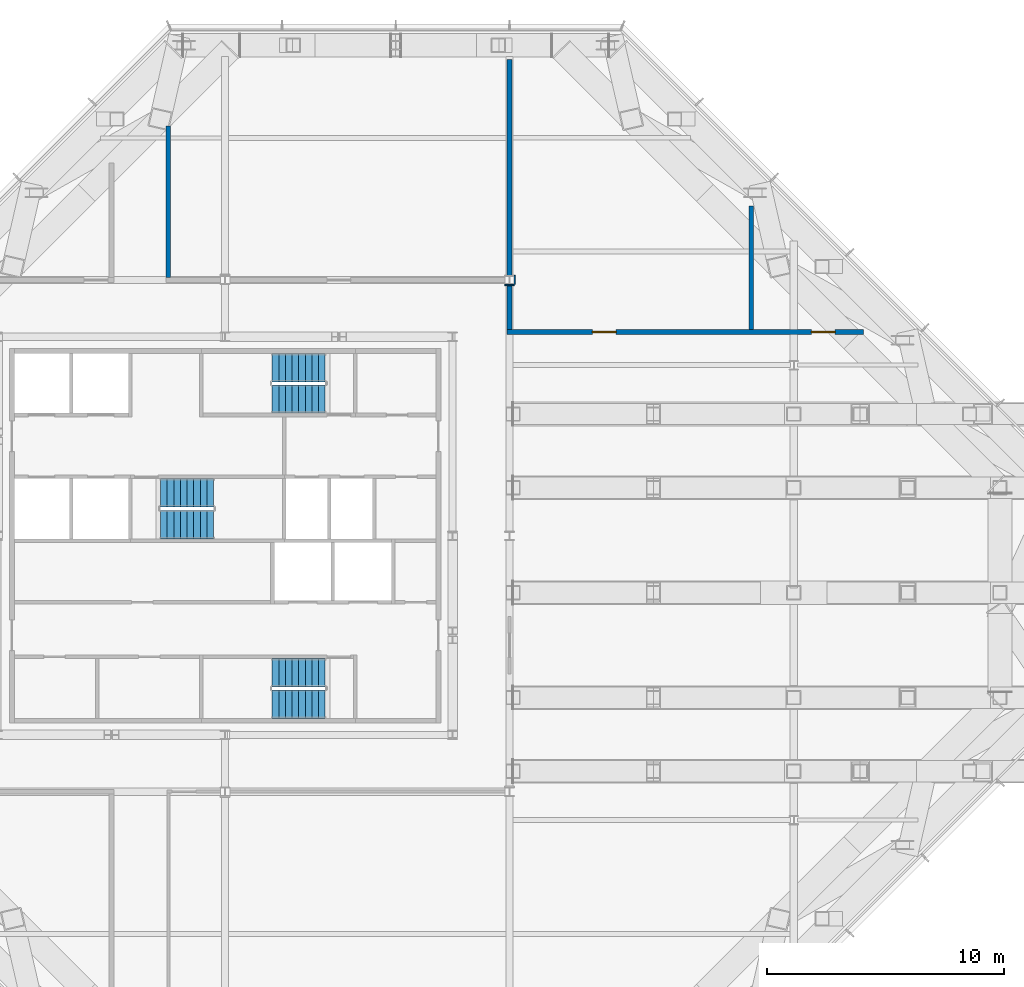
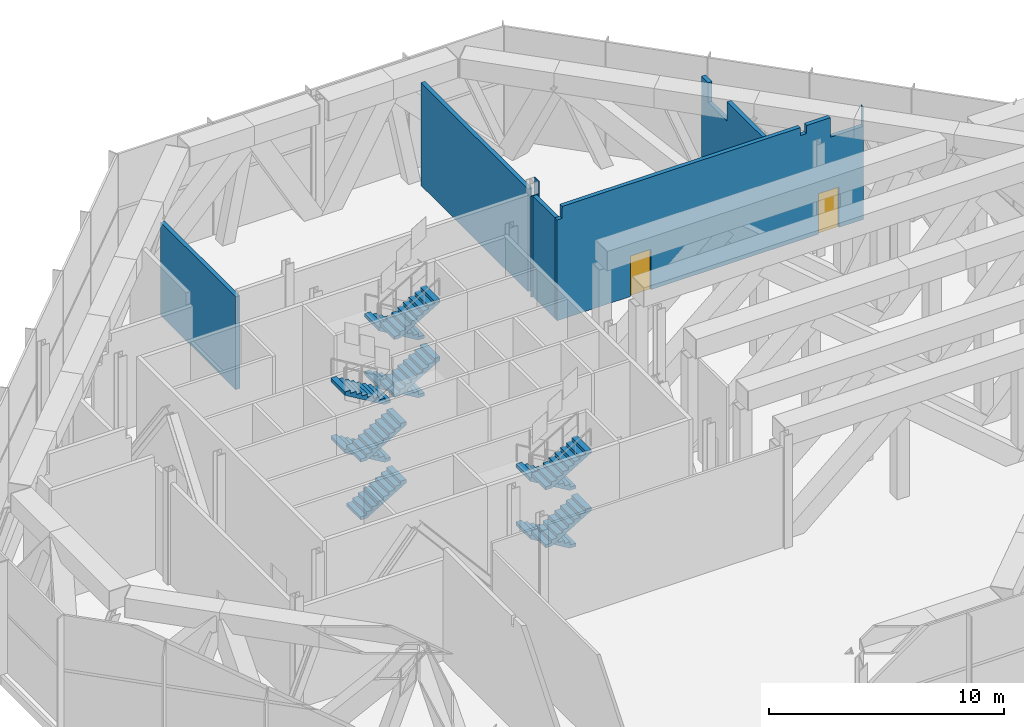
# One storey, part 16 of 18: 12 stair flights, 7 walls, 2 doors, 2 openings, 3 elements without a shape of their own.
"""IFC4 building model written with IfcOpenShell, lengths in metres."""

from ifc_helpers import new_model, si_unit, direction, frame, frame_2d, origin, place, context, subcontext, project, spatial, polyline, rectangle, outline, extrude, material, layer, layer_set, type_object, element, fill, aggregate, save


model = new_model("IFC4")

# Units and contexts
model_context = context("Model", 3, precision=1e-05, world=origin(), true_north=direction((0.0, 1.0)))
body_context = subcontext(model_context, "Body", "Model", "MODEL_VIEW")
ifc_project = project(units=[si_unit("LENGTHUNIT", "METRE"), si_unit("AREAUNIT", "SQUARE_METRE"), si_unit("VOLUMEUNIT", "CUBIC_METRE"), si_unit("PLANEANGLEUNIT", "RADIAN"), si_unit("MASSUNIT", "GRAM", prefix="KILO")], contexts=[model_context])

# Site, building, storey
site_placement = place(None, origin())
site = spatial("IfcSite", under=ifc_project, at=site_placement, CompositionType="ELEMENT")
building_placement = place(site_placement, origin())
building = spatial("IfcBuilding", under=site, at=building_placement, Name="Cairn Pilgrim Tower", CompositionType="ELEMENT")
storey_placement = place(building_placement, frame((0.0, 0.0, 261.0)))
storey = spatial("IfcBuildingStorey", under=building, at=storey_placement, Name="L67", CompositionType="ELEMENT", Elevation=261.0)

# Walls
ifc_material_1 = material(Name="Gypsum partition")
ifc_layer_1 = layer(ifc_material_1, 0.050048828125)
ifc_layer_set_1 = layer_set([ifc_layer_1], Name="PARTITION 50 DRYWALL EI 120")
wall_type_1 = type_object("IfcWallType", Name="PARTITION 50 DRYWALL EI 120", PredefinedType="PARTITIONING", material=ifc_layer_set_1)
wall_1_placement = place(storey_placement, frame((19.422119140625, 13.012451171875, 0.0), z_axis=(0.0, 0.0, 1.0), x_axis=(0.0, 1.0, 0.0)))
element("IfcWall", 1, at=wall_1_placement, inside=storey, type_object=wall_type_1, Name="COLUMN CASING WC06", PredefinedType="PARTITIONING", context=body_context, shape_type="SweptSolid", body=[
    extrude(rectangle(XDim=0.375, YDim=0.050048828125, at=frame_2d((0.1875, 0.0))), origin(), (0.0, 0.0, 1.0), 5.85009765625),
])
wall_2_placement = place(storey_placement, frame((19.0029296875, 12.987548828125, 0.0), z_axis=(0.0, 0.0, 1.0), x_axis=(1.0, 0.0, 0.0)))
element("IfcWall", 2, at=wall_2_placement, inside=storey, type_object=wall_type_1, Name="COLUMN CASING WC08", PredefinedType="PARTITIONING", context=body_context, shape_type="SweptSolid", body=[
    extrude(rectangle(XDim=0.39404296875, YDim=0.050048828125, at=frame_2d((0.197021484375, 0.0))), origin(), (0.0, 0.0, 1.0), 5.22998046875),
])

# Wall, openings, doors
ifc_layer_2 = layer(ifc_material_1, 0.199951171875)
ifc_layer_set_2 = layer_set([ifc_layer_2], Name="SHAFT WALL 200 GYPSUM EI 120")
wall_type_2 = type_object("IfcWallType", Name="SHAFT WALL 200 GYPSUM EI 120", PredefinedType="PARTITIONING", material=ifc_layer_set_2)
wall_3_placement = place(storey_placement, frame((19.10009765625, 11.0, 0.0), z_axis=(0.0, 0.0, 1.0), x_axis=(1.0, 0.0, 0.0)))
wall_3 = element("IfcWall", 3, at=wall_3_placement, inside=storey, type_object=wall_type_2, Name="PARTITION W015", PredefinedType="PARTITIONING", context=body_context, shape_type="SweptSolid", body=[
    extrude(outline(polyline([(0.0, 0.0), (15.038330078125, 0.0), (15.038330078125, 5.85009765625), (15.0341796875, 5.85009765625), (15.0322265625, 4.830078125), (13.420166015625, 4.830078125), (13.418212890625, 5.85009765625), (12.25, 5.85009765625), (12.248046875, 5.429931640625), (11.949951171875, 5.429931640625), (11.947998046875, 5.85009765625), (0.25, 5.85009765625), (0.248046875, 5.22998046875), (0.0, 5.22998046875), (0.0, 0.0)])), frame((0.0, 0.10009765625, 0.0), z_axis=(0.0, -1.0, 0.0), x_axis=(1.0, 0.0, 0.0)), (0.0, 0.0, 1.0), 0.199951171875),
])
opening_1_placement = place(wall_3_placement, frame((3.60009765625, 0.0, 0.0)))
opening_1 = element("IfcOpeningElement", 4, at=opening_1_placement, cuts=wall_3, Name="Opening 6704", PredefinedType="OPENING", context=body_context, shape_type="SweptSolid", body=[
    extrude(rectangle(XDim=1.0, YDim=2.10009765625, at=frame_2d((0.5, 1.050048828125))), frame((0.0, 0.10986328125, 0.0), z_axis=(0.0, -1.0, 0.0), x_axis=(1.0, 0.0, 0.0)), (0.0, 0.0, 1.0), 0.219970703125),
])
opening_2_placement = place(wall_3_placement, frame((12.83935546875, 0.0, 0.0)))
opening_2 = element("IfcOpeningElement", 5, at=opening_2_placement, cuts=wall_3, Name="Opening 6705", PredefinedType="OPENING", context=body_context, shape_type="SweptSolid", body=[
    extrude(rectangle(XDim=1.0, YDim=2.10009765625, at=frame_2d((0.5, 1.050048828125))), frame((0.0, 0.10986328125, 0.0), z_axis=(0.0, -1.0, 0.0), x_axis=(1.0, 0.0, 0.0)), (0.0, 0.0, 1.0), 0.219970703125),
])
ifc_material_2 = material(Name="Steel-faced fire door leaf", Category="steel")
door_type = type_object("IfcDoorType", Name="FIRE DOOR 1000x2100 FD60S", OperationType="NOTDEFINED", PredefinedType="DOOR", material=ifc_material_2)
door_1_placement = place(opening_1_placement, frame((1.0, 0.0, 0.0), z_axis=(0.0, 0.0, 1.0), x_axis=(-1.0, 0.0, 0.0)))
door_1 = element("IfcDoor", 6, at=door_1_placement, inside=storey, type_object=door_type, Name="DOOR 6704", OperationType="SINGLE_SWING_RIGHT", OverallHeight=2.10009765625, OverallWidth=1.0, PredefinedType="DOOR", context=body_context, shape_type="SweptSolid", body=[
    extrude(rectangle(XDim=1.0, YDim=2.10009765625, at=frame_2d((0.5, 1.050048828125))), frame((0.0, 0.02490234375, 0.0), z_axis=(0.0, -1.0, 0.0), x_axis=(1.0, 0.0, 0.0)), (0.0, 0.0, 1.0), 0.050048828125),
])
fill(opening_1, door_1)
door_2_placement = place(opening_2_placement, frame((1.0, 0.0, 0.0), z_axis=(0.0, 0.0, 1.0), x_axis=(-1.0, 0.0, 0.0)))
door_2 = element("IfcDoor", 7, at=door_2_placement, inside=storey, type_object=door_type, Name="DOOR 6705", OperationType="SINGLE_SWING_RIGHT", OverallHeight=2.10009765625, OverallWidth=1.0, PredefinedType="DOOR", context=body_context, shape_type="SweptSolid", body=[
    extrude(rectangle(XDim=1.0, YDim=2.10009765625, at=frame_2d((0.5, 1.050048828125))), frame((0.0, 0.02490234375, 0.0), z_axis=(0.0, -1.0, 0.0), x_axis=(1.0, 0.0, 0.0)), (0.0, 0.0, 1.0), 0.050048828125),
])
fill(opening_2, door_2)

# Walls
wall_4_placement = place(storey_placement, frame((19.199951171875, 11.10009765625, 0.0), z_axis=(0.0, 0.0, 1.0), x_axis=(0.0, 1.0, 0.0)))
element("IfcWall", 8, at=wall_4_placement, inside=storey, type_object=wall_type_2, Name="PARTITION W016", PredefinedType="PARTITIONING", context=body_context, shape_type="SweptSolid", body=[
    extrude(rectangle(XDim=1.912353515625, YDim=0.199951171875, at=frame_2d((0.9560546875, 0.0))), origin(), (0.0, 0.0, 1.0), 5.22998046875),
])
wall_5_placement = place(storey_placement, frame((29.39990234375, 11.10009765625, 0.0), z_axis=(0.0, 0.0, 1.0), x_axis=(0.0, 1.0, 0.0)))
element("IfcWall", 9, at=wall_5_placement, inside=storey, type_object=wall_type_2, Name="PARTITION W017", PredefinedType="PARTITIONING", context=body_context, shape_type="SweptSolid", body=[
    extrude(outline(polyline([(0.0, 0.0), (5.210693359375, 0.0), (5.210693359375, 5.85009765625), (4.63427734375, 5.85009765625), (4.63232421875, 4.830078125), (3.02001953125, 4.830078125), (3.01806640625, 5.85009765625), (0.0, 5.85009765625), (0.0, 0.0)])), frame((0.0, 0.10009765625, 0.0), z_axis=(0.0, -1.0, 0.0), x_axis=(1.0, 0.0, 0.0)), (0.0, 0.0, 1.0), 0.199951171875),
])
wall_6_placement = place(storey_placement, frame((4.800048828125, 13.300048828125, 0.0), z_axis=(0.0, 0.0, 1.0), x_axis=(0.0, 1.0, 0.0)))
element("IfcWall", 10, at=wall_6_placement, inside=storey, type_object=wall_type_2, Name="PARTITION W022", PredefinedType="PARTITIONING", context=body_context, shape_type="SweptSolid", body=[
    extrude(outline(polyline([(0.0, 0.0), (6.387939453125, 0.0), (6.387939453125, 1.46240234375), (6.387939453125, 2.925048828125), (6.387939453125, 4.387451171875), (6.387939453125, 4.830078125), (0.0, 4.830078125), (0.0, 4.387451171875), (0.0, 2.925048828125), (0.0, 1.46240234375), (0.0, 0.0)])), frame((0.0, 0.10009765625, 0.0), z_axis=(0.0, -1.0, 0.0), x_axis=(1.0, 0.0, 0.0)), (0.0, 0.0, 1.0), 0.199951171875),
])
wall_7_placement = place(storey_placement, frame((19.199951171875, 13.387451171875, 0.0), z_axis=(0.0, 0.0, 1.0), x_axis=(0.0, 1.0, 0.0)))
element("IfcWall", 11, at=wall_7_placement, inside=storey, type_object=wall_type_2, Name="PARTITION W023", PredefinedType="PARTITIONING", context=body_context, shape_type="SweptSolid", body=[
    extrude(rectangle(XDim=9.112548828125, YDim=0.199951171875, at=frame_2d((4.55615234375, 0.0))), origin(), (0.0, 0.0, 1.0), 5.330078125),
])

# Stair, stair flights
ifc_material_3 = material(Name="Concrete C32/40", Category="concrete")
stair_type = type_object("IfcStairType", Name="EXIT STAIR 1200", PredefinedType="HALF_TURN_STAIR", material=ifc_material_3)
stair_1_placement = place(storey_placement, origin())
stair_1 = element("IfcStair", 12, at=stair_1_placement, inside=storey, type_object=stair_type, Name="L67 Exit Stair A", PredefinedType="HALF_TURN_STAIR")
stair_flight_type = type_object("IfcStairFlightType", Name="STAIR FLIGHT 1200", PredefinedType="STRAIGHT", material=ifc_material_3)
stair_flight_1_placement = place(storey_placement, frame((11.425048828125, -3.375, 0.0), z_axis=(0.0, 0.0, 1.0), x_axis=(-1.0, 0.0, 0.0)))
stair_flight_1 = element("IfcStairFlight", 13, at=stair_flight_1_placement, type_object=stair_flight_type, Name="ST-A flight 1", NumberOfRisers=9, NumberOfTreads=8, PredefinedType="STRAIGHT", RiserHeight=0.166666667, TreadLength=0.28, context=body_context, shape_type="SweptSolid", body=[
    extrude(outline(polyline([(0.0, 0.0), (0.0, 0.166748046875), (0.280029296875, 0.166748046875), (0.280029296875, 0.333251953125), (0.56005859375, 0.333251953125), (0.56005859375, 0.5), (0.840087890625, 0.5), (0.840087890625, 0.666748046875), (1.1201171875, 0.666748046875), (1.1201171875, 0.833251953125), (1.39990234375, 0.833251953125), (1.39990234375, 1.0), (1.679931640625, 1.0), (1.679931640625, 1.166748046875), (1.9599609375, 1.166748046875), (1.9599609375, 1.333251953125), (2.239990234375, 1.333251953125), (2.239990234375, 1.5), (2.239990234375, 1.158935546875), (0.29296875, 0.0), (0.0, 0.0)])), frame((0.0, 0.60009765625, 0.0), z_axis=(0.0, -1.0, 0.0), x_axis=(1.0, 0.0, 0.0)), (0.0, 0.0, 1.0), 1.199951171875),
])
stair_flight_2_placement = place(storey_placement, frame((9.18505859375, -4.699951171875, 1.5), z_axis=(0.0, 0.0, 1.0), x_axis=(1.0, 0.0, 0.0)))
stair_flight_2 = element("IfcStairFlight", 14, at=stair_flight_2_placement, type_object=stair_flight_type, Name="ST-A flight 2", NumberOfRisers=9, NumberOfTreads=8, PredefinedType="STRAIGHT", RiserHeight=0.166666667, TreadLength=0.28, context=body_context, shape_type="SweptSolid", body=[
    extrude(outline(polyline([(0.0, 0.0), (0.0, 0.166748046875), (0.280029296875, 0.166748046875), (0.280029296875, 0.333251953125), (0.56005859375, 0.333251953125), (0.56005859375, 0.5), (0.840087890625, 0.5), (0.840087890625, 0.666748046875), (1.1201171875, 0.666748046875), (1.1201171875, 0.833251953125), (1.39990234375, 0.833251953125), (1.39990234375, 1.0), (1.679931640625, 1.0), (1.679931640625, 1.166748046875), (1.9599609375, 1.166748046875), (1.9599609375, 1.333251953125), (2.239990234375, 1.333251953125), (2.239990234375, 1.5), (2.239990234375, 1.158935546875), (0.29296875, 0.0), (0.0, 0.0)])), frame((0.0, 0.60009765625, 0.0), z_axis=(0.0, -1.0, 0.0), x_axis=(1.0, 0.0, 0.0)), (0.0, 0.0, 1.0), 1.199951171875),
])
stair_flight_3_placement = place(storey_placement, frame((11.425048828125, -3.375, 3.0), z_axis=(0.0, 0.0, 1.0), x_axis=(-1.0, 0.0, 0.0)))
stair_flight_3 = element("IfcStairFlight", 15, at=stair_flight_3_placement, type_object=stair_flight_type, Name="ST-A flight 3", NumberOfRisers=9, NumberOfTreads=8, PredefinedType="STRAIGHT", RiserHeight=0.166666667, TreadLength=0.28, context=body_context, shape_type="SweptSolid", body=[
    extrude(outline(polyline([(0.0, 0.0), (0.0, 0.166748046875), (0.280029296875, 0.166748046875), (0.280029296875, 0.333251953125), (0.56005859375, 0.333251953125), (0.56005859375, 0.5), (0.840087890625, 0.5), (0.840087890625, 0.666748046875), (1.1201171875, 0.666748046875), (1.1201171875, 0.833251953125), (1.39990234375, 0.833251953125), (1.39990234375, 1.0), (1.679931640625, 1.0), (1.679931640625, 1.166748046875), (1.9599609375, 1.166748046875), (1.9599609375, 1.333251953125), (2.239990234375, 1.333251953125), (2.239990234375, 1.5), (2.239990234375, 1.158935546875), (0.29296875, 0.0), (0.0, 0.0)])), frame((0.0, 0.60009765625, 0.0), z_axis=(0.0, -1.0, 0.0), x_axis=(1.0, 0.0, 0.0)), (0.0, 0.0, 1.0), 1.199951171875),
])
stair_flight_4_placement = place(storey_placement, frame((9.18505859375, -4.699951171875, 4.5), z_axis=(0.0, 0.0, 1.0), x_axis=(1.0, 0.0, 0.0)))
stair_flight_4 = element("IfcStairFlight", 16, at=stair_flight_4_placement, type_object=stair_flight_type, Name="ST-A flight 4", NumberOfRisers=9, NumberOfTreads=8, PredefinedType="STRAIGHT", RiserHeight=0.166666667, TreadLength=0.28, context=body_context, shape_type="SweptSolid", body=[
    extrude(outline(polyline([(0.0, 0.0), (0.0, 0.166748046875), (0.280029296875, 0.166748046875), (0.280029296875, 0.333251953125), (0.56005859375, 0.333251953125), (0.56005859375, 0.5), (0.840087890625, 0.5), (0.840087890625, 0.666748046875), (1.1201171875, 0.666748046875), (1.1201171875, 0.833251953125), (1.39990234375, 0.833251953125), (1.39990234375, 1.0), (1.679931640625, 1.0), (1.679931640625, 1.166748046875), (1.9599609375, 1.166748046875), (1.9599609375, 1.333251953125), (2.239990234375, 1.333251953125), (2.239990234375, 1.5), (2.239990234375, 1.158935546875), (0.29296875, 0.0), (0.0, 0.0)])), frame((0.0, 0.60009765625, 0.0), z_axis=(0.0, -1.0, 0.0), x_axis=(1.0, 0.0, 0.0)), (0.0, 0.0, 1.0), 1.199951171875),
])
aggregate(stair_1, [stair_flight_1, stair_flight_2, stair_flight_3, stair_flight_4])

stair_2_placement = place(storey_placement, origin())
stair_2 = element("IfcStair", 17, at=stair_2_placement, inside=storey, type_object=stair_type, Name="L67 Exit Stair B", PredefinedType="HALF_TURN_STAIR")
stair_flight_5_placement = place(storey_placement, frame((4.47509765625, 2.875, 0.0), z_axis=(0.0, 0.0, 1.0), x_axis=(1.0, 0.0, 0.0)))
stair_flight_5 = element("IfcStairFlight", 18, at=stair_flight_5_placement, type_object=stair_flight_type, Name="ST-B flight 1", NumberOfRisers=9, NumberOfTreads=8, PredefinedType="STRAIGHT", RiserHeight=0.166666667, TreadLength=0.28, context=body_context, shape_type="SweptSolid", body=[
    extrude(outline(polyline([(0.0, 0.0), (0.0, 0.166748046875), (0.280029296875, 0.166748046875), (0.280029296875, 0.333251953125), (0.56005859375, 0.333251953125), (0.56005859375, 0.5), (0.840087890625, 0.5), (0.840087890625, 0.666748046875), (1.1201171875, 0.666748046875), (1.1201171875, 0.833251953125), (1.39990234375, 0.833251953125), (1.39990234375, 1.0), (1.679931640625, 1.0), (1.679931640625, 1.166748046875), (1.9599609375, 1.166748046875), (1.9599609375, 1.333251953125), (2.239990234375, 1.333251953125), (2.239990234375, 1.5), (2.239990234375, 1.158935546875), (0.29296875, 0.0), (0.0, 0.0)])), frame((0.0, 0.60009765625, 0.0), z_axis=(0.0, -1.0, 0.0), x_axis=(1.0, 0.0, 0.0)), (0.0, 0.0, 1.0), 1.199951171875),
])
stair_flight_6_placement = place(storey_placement, frame((6.715087890625, 4.22509765625, 1.5), z_axis=(0.0, 0.0, 1.0), x_axis=(-1.0, 0.0, 0.0)))
stair_flight_6 = element("IfcStairFlight", 19, at=stair_flight_6_placement, type_object=stair_flight_type, Name="ST-B flight 2", NumberOfRisers=9, NumberOfTreads=8, PredefinedType="STRAIGHT", RiserHeight=0.166666667, TreadLength=0.28, context=body_context, shape_type="SweptSolid", body=[
    extrude(outline(polyline([(0.0, 0.0), (0.0, 0.166748046875), (0.280029296875, 0.166748046875), (0.280029296875, 0.333251953125), (0.56005859375, 0.333251953125), (0.56005859375, 0.5), (0.840087890625, 0.5), (0.840087890625, 0.666748046875), (1.1201171875, 0.666748046875), (1.1201171875, 0.833251953125), (1.39990234375, 0.833251953125), (1.39990234375, 1.0), (1.679931640625, 1.0), (1.679931640625, 1.166748046875), (1.9599609375, 1.166748046875), (1.9599609375, 1.333251953125), (2.239990234375, 1.333251953125), (2.239990234375, 1.5), (2.239990234375, 1.158935546875), (0.29296875, 0.0), (0.0, 0.0)])), frame((0.0, 0.60009765625, 0.0), z_axis=(0.0, -1.0, 0.0), x_axis=(1.0, 0.0, 0.0)), (0.0, 0.0, 1.0), 1.199951171875),
])
stair_flight_7_placement = place(storey_placement, frame((4.47509765625, 2.875, 3.0), z_axis=(0.0, 0.0, 1.0), x_axis=(1.0, 0.0, 0.0)))
stair_flight_7 = element("IfcStairFlight", 20, at=stair_flight_7_placement, type_object=stair_flight_type, Name="ST-B flight 3", NumberOfRisers=9, NumberOfTreads=8, PredefinedType="STRAIGHT", RiserHeight=0.166666667, TreadLength=0.28, context=body_context, shape_type="SweptSolid", body=[
    extrude(outline(polyline([(0.0, 0.0), (0.0, 0.166748046875), (0.280029296875, 0.166748046875), (0.280029296875, 0.333251953125), (0.56005859375, 0.333251953125), (0.56005859375, 0.5), (0.840087890625, 0.5), (0.840087890625, 0.666748046875), (1.1201171875, 0.666748046875), (1.1201171875, 0.833251953125), (1.39990234375, 0.833251953125), (1.39990234375, 1.0), (1.679931640625, 1.0), (1.679931640625, 1.166748046875), (1.9599609375, 1.166748046875), (1.9599609375, 1.333251953125), (2.239990234375, 1.333251953125), (2.239990234375, 1.5), (2.239990234375, 1.158935546875), (0.29296875, 0.0), (0.0, 0.0)])), frame((0.0, 0.60009765625, 0.0), z_axis=(0.0, -1.0, 0.0), x_axis=(1.0, 0.0, 0.0)), (0.0, 0.0, 1.0), 1.199951171875),
])
stair_flight_8_placement = place(storey_placement, frame((6.715087890625, 4.22509765625, 4.5), z_axis=(0.0, 0.0, 1.0), x_axis=(-1.0, 0.0, 0.0)))
stair_flight_8 = element("IfcStairFlight", 21, at=stair_flight_8_placement, type_object=stair_flight_type, Name="ST-B flight 4", NumberOfRisers=9, NumberOfTreads=8, PredefinedType="STRAIGHT", RiserHeight=0.166666667, TreadLength=0.28, context=body_context, shape_type="SweptSolid", body=[
    extrude(outline(polyline([(0.0, 0.0), (0.0, 0.166748046875), (0.280029296875, 0.166748046875), (0.280029296875, 0.333251953125), (0.56005859375, 0.333251953125), (0.56005859375, 0.5), (0.840087890625, 0.5), (0.840087890625, 0.666748046875), (1.1201171875, 0.666748046875), (1.1201171875, 0.833251953125), (1.39990234375, 0.833251953125), (1.39990234375, 1.0), (1.679931640625, 1.0), (1.679931640625, 1.166748046875), (1.9599609375, 1.166748046875), (1.9599609375, 1.333251953125), (2.239990234375, 1.333251953125), (2.239990234375, 1.5), (2.239990234375, 1.158935546875), (0.29296875, 0.0), (0.0, 0.0)])), frame((0.0, 0.60009765625, 0.0), z_axis=(0.0, -1.0, 0.0), x_axis=(1.0, 0.0, 0.0)), (0.0, 0.0, 1.0), 1.199951171875),
])
aggregate(stair_2, [stair_flight_5, stair_flight_6, stair_flight_7, stair_flight_8])

stair_3_placement = place(storey_placement, origin())
stair_3 = element("IfcStair", 22, at=stair_3_placement, inside=storey, type_object=stair_type, Name="L67 Exit Stair C", PredefinedType="HALF_TURN_STAIR")
stair_flight_9_placement = place(storey_placement, frame((11.425048828125, 9.5, 0.0), z_axis=(0.0, 0.0, 1.0), x_axis=(-1.0, 0.0, 0.0)))
stair_flight_9 = element("IfcStairFlight", 23, at=stair_flight_9_placement, type_object=stair_flight_type, Name="ST-C flight 1", NumberOfRisers=9, NumberOfTreads=8, PredefinedType="STRAIGHT", RiserHeight=0.166666667, TreadLength=0.28, context=body_context, shape_type="SweptSolid", body=[
    extrude(outline(polyline([(0.0, 0.0), (0.0, 0.166748046875), (0.280029296875, 0.166748046875), (0.280029296875, 0.333251953125), (0.56005859375, 0.333251953125), (0.56005859375, 0.5), (0.840087890625, 0.5), (0.840087890625, 0.666748046875), (1.1201171875, 0.666748046875), (1.1201171875, 0.833251953125), (1.39990234375, 0.833251953125), (1.39990234375, 1.0), (1.679931640625, 1.0), (1.679931640625, 1.166748046875), (1.9599609375, 1.166748046875), (1.9599609375, 1.333251953125), (2.239990234375, 1.333251953125), (2.239990234375, 1.5), (2.239990234375, 1.158935546875), (0.29296875, 0.0), (0.0, 0.0)])), frame((0.0, 0.60009765625, 0.0), z_axis=(0.0, -1.0, 0.0), x_axis=(1.0, 0.0, 0.0)), (0.0, 0.0, 1.0), 1.199951171875),
])
stair_flight_10_placement = place(storey_placement, frame((9.18505859375, 8.175048828125, 1.5), z_axis=(0.0, 0.0, 1.0), x_axis=(1.0, 0.0, 0.0)))
stair_flight_10 = element("IfcStairFlight", 24, at=stair_flight_10_placement, type_object=stair_flight_type, Name="ST-C flight 2", NumberOfRisers=9, NumberOfTreads=8, PredefinedType="STRAIGHT", RiserHeight=0.166666667, TreadLength=0.28, context=body_context, shape_type="SweptSolid", body=[
    extrude(outline(polyline([(0.0, 0.0), (0.0, 0.166748046875), (0.280029296875, 0.166748046875), (0.280029296875, 0.333251953125), (0.56005859375, 0.333251953125), (0.56005859375, 0.5), (0.840087890625, 0.5), (0.840087890625, 0.666748046875), (1.1201171875, 0.666748046875), (1.1201171875, 0.833251953125), (1.39990234375, 0.833251953125), (1.39990234375, 1.0), (1.679931640625, 1.0), (1.679931640625, 1.166748046875), (1.9599609375, 1.166748046875), (1.9599609375, 1.333251953125), (2.239990234375, 1.333251953125), (2.239990234375, 1.5), (2.239990234375, 1.158935546875), (0.29296875, 0.0), (0.0, 0.0)])), frame((0.0, 0.60009765625, 0.0), z_axis=(0.0, -1.0, 0.0), x_axis=(1.0, 0.0, 0.0)), (0.0, 0.0, 1.0), 1.199951171875),
])
stair_flight_11_placement = place(storey_placement, frame((11.425048828125, 9.5, 3.0), z_axis=(0.0, 0.0, 1.0), x_axis=(-1.0, 0.0, 0.0)))
stair_flight_11 = element("IfcStairFlight", 25, at=stair_flight_11_placement, type_object=stair_flight_type, Name="ST-C flight 3", NumberOfRisers=9, NumberOfTreads=8, PredefinedType="STRAIGHT", RiserHeight=0.166666667, TreadLength=0.28, context=body_context, shape_type="SweptSolid", body=[
    extrude(outline(polyline([(0.0, 0.0), (0.0, 0.166748046875), (0.280029296875, 0.166748046875), (0.280029296875, 0.333251953125), (0.56005859375, 0.333251953125), (0.56005859375, 0.5), (0.840087890625, 0.5), (0.840087890625, 0.666748046875), (1.1201171875, 0.666748046875), (1.1201171875, 0.833251953125), (1.39990234375, 0.833251953125), (1.39990234375, 1.0), (1.679931640625, 1.0), (1.679931640625, 1.166748046875), (1.9599609375, 1.166748046875), (1.9599609375, 1.333251953125), (2.239990234375, 1.333251953125), (2.239990234375, 1.5), (2.239990234375, 1.158935546875), (0.29296875, 0.0), (0.0, 0.0)])), frame((0.0, 0.60009765625, 0.0), z_axis=(0.0, -1.0, 0.0), x_axis=(1.0, 0.0, 0.0)), (0.0, 0.0, 1.0), 1.199951171875),
])
stair_flight_12_placement = place(storey_placement, frame((9.18505859375, 8.175048828125, 4.5), z_axis=(0.0, 0.0, 1.0), x_axis=(1.0, 0.0, 0.0)))
stair_flight_12 = element("IfcStairFlight", 26, at=stair_flight_12_placement, type_object=stair_flight_type, Name="ST-C flight 4", NumberOfRisers=9, NumberOfTreads=8, PredefinedType="STRAIGHT", RiserHeight=0.166666667, TreadLength=0.28, context=body_context, shape_type="SweptSolid", body=[
    extrude(outline(polyline([(0.0, 0.0), (0.0, 0.166748046875), (0.280029296875, 0.166748046875), (0.280029296875, 0.333251953125), (0.56005859375, 0.333251953125), (0.56005859375, 0.5), (0.840087890625, 0.5), (0.840087890625, 0.666748046875), (1.1201171875, 0.666748046875), (1.1201171875, 0.833251953125), (1.39990234375, 0.833251953125), (1.39990234375, 1.0), (1.679931640625, 1.0), (1.679931640625, 1.166748046875), (1.9599609375, 1.166748046875), (1.9599609375, 1.333251953125), (2.239990234375, 1.333251953125), (2.239990234375, 1.5), (2.239990234375, 1.158935546875), (0.29296875, 0.0), (0.0, 0.0)])), frame((0.0, 0.60009765625, 0.0), z_axis=(0.0, -1.0, 0.0), x_axis=(1.0, 0.0, 0.0)), (0.0, 0.0, 1.0), 1.199951171875),
])
aggregate(stair_3, [stair_flight_9, stair_flight_10, stair_flight_11, stair_flight_12])

save(model, "model.ifc")
